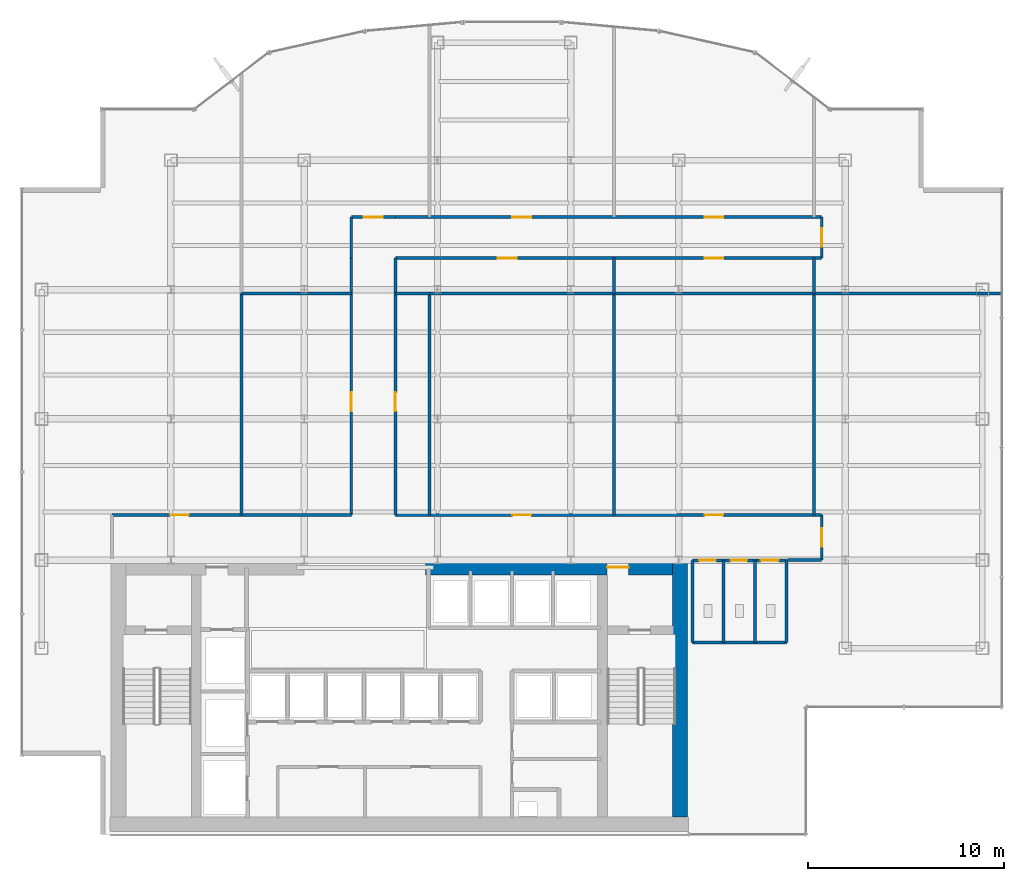
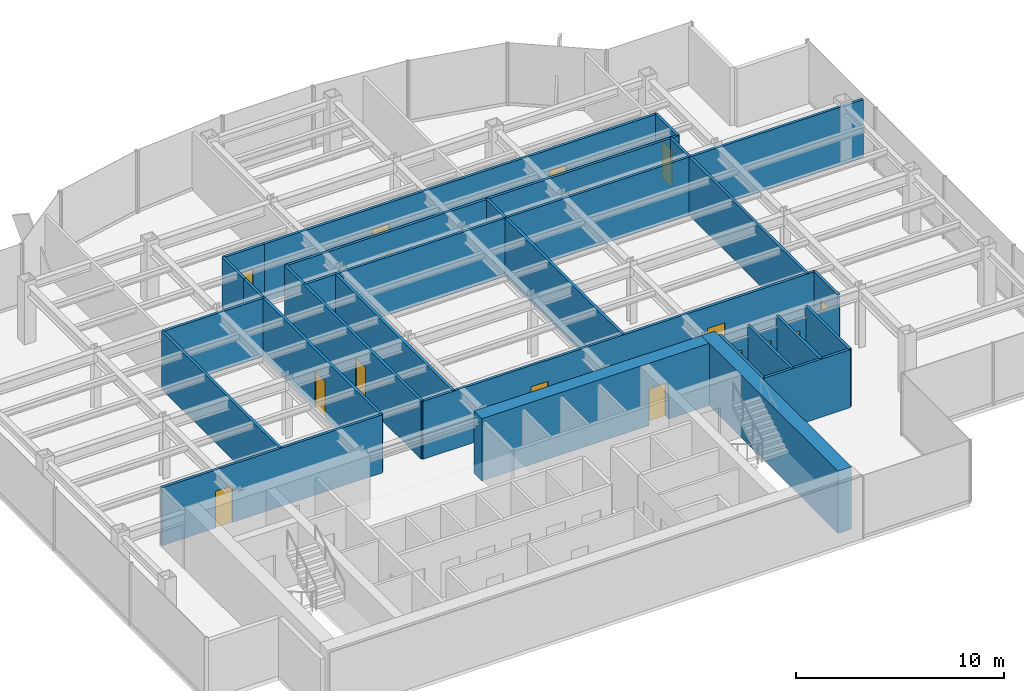
# One storey, part 21 of 25: 30 walls, 16 doors, 16 openings.
"""IFC4 building model written with IfcOpenShell, lengths in metres."""

from ifc_helpers import new_model, si_unit, derived_unit, direction, frame, frame_2d, origin, place, context, subcontext, project, spatial, rectangle, extrude, source, transform, mapped, material, layer, layer_set, type_object, element, fill, save


model = new_model("IFC4")

# Units and contexts
model_context = context("Model", 3, precision=1e-05, world=origin(), true_north=direction((0.0, 1.0)))
body_context = subcontext(model_context, "Body", "Model", "MODEL_VIEW")
ifc_project = project(units=[si_unit("LENGTHUNIT", "METRE"), si_unit("AREAUNIT", "SQUARE_METRE"), si_unit("VOLUMEUNIT", "CUBIC_METRE"), si_unit("PLANEANGLEUNIT", "RADIAN"), si_unit("MASSUNIT", "GRAM", prefix="KILO"), derived_unit("THERMALTRANSMITTANCEUNIT", [(si_unit("POWERUNIT", "WATT"), 1), (si_unit("LENGTHUNIT", "METRE"), -2), (si_unit("THERMODYNAMICTEMPERATUREUNIT", "KELVIN"), -1)])], contexts=[model_context])

# Site, building, storey
site_placement = place(None, origin())
site = spatial("IfcSite", under=ifc_project, at=site_placement, CompositionType="ELEMENT")
building_placement = place(site_placement, origin())
building = spatial("IfcBuilding", under=site, at=building_placement, Name="Skarnbrae Concourse Arena and Tower", CompositionType="ELEMENT")
storey_placement = place(building_placement, frame((0.0, 0.0, 158.85009765625)))
storey = spatial("IfcBuildingStorey", under=building, at=storey_placement, Name="L40", CompositionType="ELEMENT", Elevation=158.85009765625)

# Wall
ifc_material_1 = material(Name="Concrete 60 MPa (C60/75)", Category="concrete")
ifc_layer_1 = layer(ifc_material_1, 0.75)
ifc_layer_set_1 = layer_set([ifc_layer_1], Name="Concrete 60 MPa (C60/75)")
wall_type_1 = type_object("IfcWallType", Name="WALL-CORE-750-C60", PredefinedType="SHEAR", material=ifc_layer_set_1)
shared_shape_1 = source(origin(), body_context, "Body", "SweptSolid", [
    extrude(rectangle(XDim=13.10009765625, YDim=0.75, at=frame_2d((6.550048828125, 0.0))), origin(), (0.0, 0.0, 1.0), 3.64990234375),
])
wall_1_placement = place(storey_placement, frame((33.574951171875, 0.89990234375, 0.0), z_axis=(0.0, 0.0, 1.0), x_axis=(0.0, 1.0, 0.0)))
element("IfcWall", 1, at=wall_1_placement, inside=storey, type_object=wall_type_1, Name="L40 Rear core shear wall CW-E", PredefinedType="SHEAR", context=body_context, shape_type="MappedRepresentation", body=[
    mapped(shared_shape_1, transform((0.0, 0.0, 0.0))),
])

# Wall, opening, door
shared_shape_2 = source(origin(), body_context, "Body", "SweptSolid", [
    extrude(rectangle(XDim=12.599853515625, YDim=0.75, at=frame_2d((6.2998046875, 0.0))), origin(), (0.0, 0.0, 1.0), 3.64990234375),
])
wall_2_placement = place(storey_placement, frame((20.60009765625, 13.625, 0.0), z_axis=(0.0, 0.0, 1.0), x_axis=(1.0, 0.0, 0.0)))
wall_2 = element("IfcWall", 2, at=wall_2_placement, inside=storey, type_object=wall_type_1, Name="L40 Rear core shear wall CW-NE", PredefinedType="SHEAR", context=body_context, shape_type="MappedRepresentation", body=[
    mapped(shared_shape_2, transform((0.0, 0.0, 0.0))),
])
opening_1_placement = place(wall_2_placement, frame((9.25, 0.0, 0.0)))
opening_1 = element("IfcOpeningElement", 3, at=opening_1_placement, cuts=wall_2, Name="Opening DT-03", PredefinedType="OPENING", context=body_context, shape_type="SweptSolid", body=[
    extrude(rectangle(XDim=1.10009765625, YDim=2.14990234375, at=frame_2d((0.550048828125, 1.074951171875))), frame((0.0, 0.385009765625, 0.0), z_axis=(0.0, -1.0, 0.0), x_axis=(1.0, 0.0, 0.0)), (0.0, 0.0, 1.0), 0.77001953125),
])
ifc_material_2 = material(Name="Steel CSA G40.21 350W", Category="steel")
door_type_1 = type_object("IfcDoorType", Name="DOOR-FIRE-1100-90M", OperationType="NOTDEFINED", PredefinedType="DOOR", material=ifc_material_2)
shared_shape_3 = source(origin(), body_context, "Body", "SweptSolid", [
    extrude(rectangle(XDim=1.10009765625, YDim=2.14990234375, at=frame_2d((0.550048828125, 1.074951171875))), frame((0.0, 0.02490234375, 0.0), z_axis=(0.0, -1.0, 0.0), x_axis=(1.0, 0.0, 0.0)), (0.0, 0.0, 1.0), 0.050048828125),
])
door_1_placement = place(opening_1_placement, origin())
door_1 = element("IfcDoor", 4, at=door_1_placement, inside=storey, type_object=door_type_1, Name="D-1238 Stair ST-2 Vestibule Door", OperationType="SINGLE_SWING_LEFT", OverallHeight=2.14990234375, OverallWidth=1.10009765625, PredefinedType="DOOR", context=body_context, shape_type="MappedRepresentation", body=[
    mapped(shared_shape_3, transform((0.0, 0.0, 0.0))),
])
fill(opening_1, door_1)

# Walls
ifc_material_3 = material(Name="Gypsum board on cold-formed steel studs", Category="steel")
ifc_layer_2 = layer(ifc_material_3, 0.14990234375)
ifc_layer_set_2 = layer_set([ifc_layer_2], Name="Gypsum board on cold-formed steel studs")
wall_type_2 = type_object("IfcWallType", Name="WALL-PART-150", PredefinedType="PARTITIONING", material=ifc_layer_set_2)
shared_shape_4 = source(origin(), body_context, "Body", "SweptSolid", [
    extrude(rectangle(XDim=4.800048828125, YDim=0.14990234375, at=frame_2d((2.39990234375, 0.0))), origin(), (0.0, 0.0, 1.0), 3.39990234375),
])
wall_3_placement = place(storey_placement, frame((34.199951171875, 9.800048828125, 0.0), z_axis=(0.0, 0.0, 1.0), x_axis=(1.0, 0.0, 0.0)))
element("IfcWall", 5, at=wall_3_placement, inside=storey, type_object=wall_type_2, Name="L40 Interior partition wall W-L40-WC-S", PredefinedType="PARTITIONING", context=body_context, shape_type="MappedRepresentation", body=[
    mapped(shared_shape_4, transform((0.0, 0.0, 0.0))),
])
shared_shape_5 = source(origin(), body_context, "Body", "SweptSolid", [
    extrude(rectangle(XDim=4.179931640625, YDim=0.14990234375, at=frame_2d((2.08984375, 0.0))), origin(), (0.0, 0.0, 1.0), 3.39990234375),
])
for number, where, z_axis, x_axis, name in (
    (6, (39.0, 9.800048828125, 0.0), (0.0, 0.0, 1.0), (0.0, 1.0, 0.0), "L40 Interior partition wall W-L40-WC-E"),
    (7, (34.199951171875, 9.800048828125, 0.0), (0.0, 0.0, 1.0), (0.0, 1.0, 0.0), "L40 Interior partition wall W-L40-WC-W"),
    (8, (35.800048828125, 9.800048828125, 0.0), (0.0, 0.0, 1.0), (0.0, 1.0, 0.0), "L40 Interior partition wall W-L40-WC-D1"),
    (9, (37.39990234375, 9.800048828125, 0.0), (0.0, 0.0, 1.0), (0.0, 1.0, 0.0), "L40 Interior partition wall W-L40-WC-D2"),
):
    element("IfcWall", number, at=place(storey_placement, frame(where, z_axis=z_axis, x_axis=x_axis)), inside=storey, type_object=wall_type_2, Name=name, PredefinedType="PARTITIONING", context=body_context, shape_type="MappedRepresentation", body=[
        mapped(shared_shape_5, transform((0.0, 0.0, 0.0))),
    ])

# Wall, opening, door
ifc_layer_3 = layer(ifc_material_3, 0.14990234375)
ifc_layer_set_3 = layer_set([ifc_layer_3], Name="Gypsum board on cold-formed steel studs")
wall_type_3 = type_object("IfcWallType", Name="WALL-PART-150-1HR", PredefinedType="PARTITIONING", material=ifc_layer_set_3)
shared_shape_6 = source(origin(), body_context, "Body", "SweptSolid", [
    extrude(rectangle(XDim=2.25, YDim=0.14990234375, at=frame_2d((1.125, 0.0))), origin(), (0.0, 0.0, 1.0), 3.39990234375),
])
wall_4_placement = place(storey_placement, frame((16.800048828125, 31.5, 0.0), z_axis=(0.0, 0.0, 1.0), x_axis=(1.0, 0.0, 0.0)))
wall_4 = element("IfcWall", 10, at=wall_4_placement, inside=storey, type_object=wall_type_3, Name="L40 Interior partition wall W-L40-COR-05", PredefinedType="PARTITIONING", context=body_context, shape_type="MappedRepresentation", body=[
    mapped(shared_shape_6, transform((0.0, 0.0, 0.0))),
])
opening_2_placement = place(wall_4_placement, frame((0.64990234375, 0.0, 0.0)))
opening_2 = element("IfcOpeningElement", 11, at=opening_2_placement, cuts=wall_4, Name="Opening DT-04", PredefinedType="OPENING", context=body_context, shape_type="SweptSolid", body=[
    extrude(rectangle(XDim=0.949951171875, YDim=2.14990234375, at=frame_2d((0.47509765625, 1.074951171875))), frame((0.0, 0.0849609375, 0.0), z_axis=(0.0, -1.0, 0.0), x_axis=(1.0, 0.0, 0.0)), (0.0, 0.0, 1.0), 0.169921875),
])
door_type_2 = type_object("IfcDoorType", Name="DOOR-INT-950-45M", OperationType="NOTDEFINED", PredefinedType="DOOR", material=ifc_material_2)
shared_shape_7 = source(origin(), body_context, "Body", "SweptSolid", [
    extrude(rectangle(XDim=0.949951171875, YDim=2.14990234375, at=frame_2d((0.47509765625, 1.074951171875))), frame((0.0, 0.02490234375, 0.0), z_axis=(0.0, -1.0, 0.0), x_axis=(1.0, 0.0, 0.0)), (0.0, 0.0, 1.0), 0.050048828125),
])
door_2_placement = place(opening_2_placement, origin())
door_2 = element("IfcDoor", 12, at=door_2_placement, inside=storey, type_object=door_type_2, Name="D-1257 L40 Suite Door 03", OperationType="SINGLE_SWING_RIGHT", OverallHeight=2.14990234375, OverallWidth=0.949951171875, PredefinedType="DOOR", context=body_context, shape_type="MappedRepresentation", body=[
    mapped(shared_shape_7, transform((0.0, 0.0, 0.0))),
])
fill(opening_2, door_2)

# Wall
shared_shape_8 = source(origin(), body_context, "Body", "SweptSolid", [
    extrude(rectangle(XDim=9.580078125, YDim=0.14990234375, at=frame_2d((4.7900390625, 0.0))), origin(), (0.0, 0.0, 1.0), 3.39990234375),
])
wall_5_placement = place(storey_placement, frame((40.39990234375, 27.60009765625, 0.0), z_axis=(0.0, 0.0, 1.0), x_axis=(1.0, 0.0, 0.0)))
element("IfcWall", 13, at=wall_5_placement, inside=storey, type_object=wall_type_2, Name="L40 Interior partition wall W-L40-DEM-25", PredefinedType="PARTITIONING", context=body_context, shape_type="MappedRepresentation", body=[
    mapped(shared_shape_8, transform((0.0, 0.0, 0.0))),
])

# Wall, opening, door
shared_shape_9 = source(origin(), body_context, "Body", "SweptSolid", [
    extrude(rectangle(XDim=12.199951171875, YDim=0.14990234375, at=frame_2d((6.10009765625, 0.0))), origin(), (0.0, 0.0, 1.0), 3.39990234375),
])
wall_6_placement = place(storey_placement, frame((4.60009765625, 16.300048828125, 0.0), z_axis=(0.0, 0.0, 1.0), x_axis=(1.0, 0.0, 0.0)))
wall_6 = element("IfcWall", 14, at=wall_6_placement, inside=storey, type_object=wall_type_3, Name="L40 Interior partition wall W-L40-COR-02", PredefinedType="PARTITIONING", context=body_context, shape_type="MappedRepresentation", body=[
    mapped(shared_shape_9, transform((0.0, 0.0, 0.0))),
])
opening_3_placement = place(wall_6_placement, frame((2.955078125, 0.0, 0.0)))
opening_3 = element("IfcOpeningElement", 15, at=opening_3_placement, cuts=wall_6, Name="Opening DT-04", PredefinedType="OPENING", context=body_context, shape_type="SweptSolid", body=[
    extrude(rectangle(XDim=0.949951171875, YDim=2.14990234375, at=frame_2d((0.47509765625, 1.074951171875))), frame((0.0, 0.0849609375, 0.0), z_axis=(0.0, -1.0, 0.0), x_axis=(1.0, 0.0, 0.0)), (0.0, 0.0, 1.0), 0.169921875),
])
door_3_placement = place(opening_3_placement, origin())
door_3 = element("IfcDoor", 16, at=door_3_placement, inside=storey, type_object=door_type_2, Name="D-1255 L40 Suite Door 01", OperationType="SINGLE_SWING_RIGHT", OverallHeight=2.14990234375, OverallWidth=0.949951171875, PredefinedType="DOOR", context=body_context, shape_type="MappedRepresentation", body=[
    mapped(shared_shape_7, transform((0.0, 0.0, 0.0))),
])
fill(opening_3, door_3)

shared_shape_10 = source(origin(), body_context, "Body", "SweptSolid", [
    extrude(rectangle(XDim=13.099853515625, YDim=0.14990234375, at=frame_2d((6.5498046875, 0.0))), origin(), (0.0, 0.0, 1.0), 3.39990234375),
])
wall_7_placement = place(storey_placement, frame((16.800048828125, 16.300048828125, 0.0), z_axis=(0.0, 0.0, 1.0), x_axis=(0.0, 1.0, 0.0)))
wall_7 = element("IfcWall", 17, at=wall_7_placement, inside=storey, type_object=wall_type_3, Name="L40 Interior partition wall W-L40-COR-03", PredefinedType="PARTITIONING", context=body_context, shape_type="MappedRepresentation", body=[
    mapped(shared_shape_10, transform((0.0, 0.0, 0.0))),
])
opening_4_placement = place(wall_7_placement, frame((5.304931640625, 0.0, 0.0)))
opening_4 = element("IfcOpeningElement", 18, at=opening_4_placement, cuts=wall_7, Name="Opening DT-04", PredefinedType="OPENING", context=body_context, shape_type="SweptSolid", body=[
    extrude(rectangle(XDim=0.949951171875, YDim=2.14990234375, at=frame_2d((0.47509765625, 1.074951171875))), frame((0.0, 0.0849609375, 0.0), z_axis=(0.0, -1.0, 0.0), x_axis=(1.0, 0.0, 0.0)), (0.0, 0.0, 1.0), 0.169921875),
])
door_4_placement = place(opening_4_placement, origin())
door_4 = element("IfcDoor", 19, at=door_4_placement, inside=storey, type_object=door_type_2, Name="D-1256 L40 Suite Door 02", OperationType="SINGLE_SWING_LEFT", OverallHeight=2.14990234375, OverallWidth=0.949951171875, PredefinedType="DOOR", context=body_context, shape_type="MappedRepresentation", body=[
    mapped(shared_shape_7, transform((0.0, 0.0, 0.0))),
])
fill(opening_4, door_4)

wall_8_placement = place(storey_placement, frame((19.050048828125, 29.39990234375, 0.0), z_axis=(0.0, 0.0, 1.0), x_axis=(0.0, -1.0, 0.0)))
wall_8 = element("IfcWall", 20, at=wall_8_placement, inside=storey, type_object=wall_type_3, Name="L40 Interior partition wall W-L40-COR-09", PredefinedType="PARTITIONING", context=body_context, shape_type="MappedRepresentation", body=[
    mapped(shared_shape_10, transform((0.0, 0.0, 0.0))),
])
opening_5_placement = place(wall_8_placement, frame((6.844970703125, 0.0, 0.0)))
opening_5 = element("IfcOpeningElement", 21, at=opening_5_placement, cuts=wall_8, Name="Opening DT-04", PredefinedType="OPENING", context=body_context, shape_type="SweptSolid", body=[
    extrude(rectangle(XDim=0.949951171875, YDim=2.14990234375, at=frame_2d((0.47509765625, 1.074951171875))), frame((0.0, 0.0849609375, 0.0), z_axis=(0.0, -1.0, 0.0), x_axis=(1.0, 0.0, 0.0)), (0.0, 0.0, 1.0), 0.169921875),
])
door_5_placement = place(opening_5_placement, origin())
door_5 = element("IfcDoor", 22, at=door_5_placement, inside=storey, type_object=door_type_2, Name="D-1258 L40 Suite Door 04", OperationType="SINGLE_SWING_LEFT", OverallHeight=2.14990234375, OverallWidth=0.949951171875, PredefinedType="DOOR", context=body_context, shape_type="MappedRepresentation", body=[
    mapped(shared_shape_7, transform((0.0, 0.0, 0.0))),
])
fill(opening_5, door_5)

# Wall
shared_shape_11 = source(origin(), body_context, "Body", "SweptSolid", [
    extrude(rectangle(XDim=2.10009765625, YDim=0.14990234375, at=frame_2d((1.050048828125, 0.0))), origin(), (0.0, 0.0, 1.0), 3.39990234375),
])
wall_9_placement = place(storey_placement, frame((16.800048828125, 29.39990234375, 0.0), z_axis=(0.0, 0.0, 1.0), x_axis=(0.0, 1.0, 0.0)))
element("IfcWall", 23, at=wall_9_placement, inside=storey, type_object=wall_type_3, Name="L40 Interior partition wall W-L40-COR-04", PredefinedType="PARTITIONING", context=body_context, shape_type="MappedRepresentation", body=[
    mapped(shared_shape_11, transform((0.0, 0.0, 0.0))),
])

# Wall, opening, door
wall_10_placement = place(storey_placement, frame((40.800048828125, 31.5, 0.0), z_axis=(0.0, 0.0, 1.0), x_axis=(0.0, -1.0, 0.0)))
wall_10 = element("IfcWall", 24, at=wall_10_placement, inside=storey, type_object=wall_type_3, Name="L40 Interior partition wall W-L40-COR-07", PredefinedType="PARTITIONING", context=body_context, shape_type="MappedRepresentation", body=[
    mapped(shared_shape_11, transform((0.0, 0.0, 0.0))),
])
opening_6_placement = place(wall_10_placement, frame((0.574951171875, 0.0, 0.0)))
opening_6 = element("IfcOpeningElement", 25, at=opening_6_placement, cuts=wall_10, Name="Opening DT-04", PredefinedType="OPENING", context=body_context, shape_type="SweptSolid", body=[
    extrude(rectangle(XDim=0.949951171875, YDim=2.14990234375, at=frame_2d((0.47509765625, 1.074951171875))), frame((0.0, 0.0849609375, 0.0), z_axis=(0.0, -1.0, 0.0), x_axis=(1.0, 0.0, 0.0)), (0.0, 0.0, 1.0), 0.169921875),
])
door_6_placement = place(opening_6_placement, origin())
door_6 = element("IfcDoor", 26, at=door_6_placement, inside=storey, type_object=door_type_2, Name="D-1266 L40 Suite Door 12", OperationType="SINGLE_SWING_LEFT", OverallHeight=2.14990234375, OverallWidth=0.949951171875, PredefinedType="DOOR", context=body_context, shape_type="MappedRepresentation", body=[
    mapped(shared_shape_7, transform((0.0, 0.0, 0.0))),
])
fill(opening_6, door_6)

# Wall, openings, doors
shared_shape_12 = source(origin(), body_context, "Body", "SweptSolid", [
    extrude(rectangle(XDim=21.75, YDim=0.14990234375, at=frame_2d((10.875, 0.0))), origin(), (0.0, 0.0, 1.0), 3.39990234375),
])
wall_11_placement = place(storey_placement, frame((19.050048828125, 31.5, 0.0), z_axis=(0.0, 0.0, 1.0), x_axis=(1.0, 0.0, 0.0)))
wall_11 = element("IfcWall", 27, at=wall_11_placement, inside=storey, type_object=wall_type_3, Name="L40 Interior partition wall W-L40-COR-06", PredefinedType="PARTITIONING", context=body_context, shape_type="MappedRepresentation", body=[
    mapped(shared_shape_12, transform((0.0, 0.0, 0.0))),
])
opening_7_placement = place(wall_11_placement, frame((5.97509765625, 0.0, 0.0)))
opening_7 = element("IfcOpeningElement", 28, at=opening_7_placement, cuts=wall_11, Name="Opening DT-04", PredefinedType="OPENING", context=body_context, shape_type="SweptSolid", body=[
    extrude(rectangle(XDim=0.949951171875, YDim=2.14990234375, at=frame_2d((0.47509765625, 1.074951171875))), frame((0.0, 0.0849609375, 0.0), z_axis=(0.0, -1.0, 0.0), x_axis=(1.0, 0.0, 0.0)), (0.0, 0.0, 1.0), 0.169921875),
])
opening_8_placement = place(wall_11_placement, frame((15.77490234375, 0.0, 0.0)))
opening_8 = element("IfcOpeningElement", 29, at=opening_8_placement, cuts=wall_11, Name="Opening DT-04", PredefinedType="OPENING", context=body_context, shape_type="SweptSolid", body=[
    extrude(rectangle(XDim=0.949951171875, YDim=2.14990234375, at=frame_2d((0.47509765625, 1.074951171875))), frame((0.0, 0.0849609375, 0.0), z_axis=(0.0, -1.0, 0.0), x_axis=(1.0, 0.0, 0.0)), (0.0, 0.0, 1.0), 0.169921875),
])
door_7_placement = place(opening_7_placement, origin())
door_7 = element("IfcDoor", 30, at=door_7_placement, inside=storey, type_object=door_type_2, Name="D-1261 L40 Suite Door 07", OperationType="SINGLE_SWING_RIGHT", OverallHeight=2.14990234375, OverallWidth=0.949951171875, PredefinedType="DOOR", context=body_context, shape_type="MappedRepresentation", body=[
    mapped(shared_shape_7, transform((0.0, 0.0, 0.0))),
])
fill(opening_7, door_7)
door_8_placement = place(opening_8_placement, origin())
door_8 = element("IfcDoor", 31, at=door_8_placement, inside=storey, type_object=door_type_2, Name="D-1262 L40 Suite Door 08", OperationType="SINGLE_SWING_LEFT", OverallHeight=2.14990234375, OverallWidth=0.949951171875, PredefinedType="DOOR", context=body_context, shape_type="MappedRepresentation", body=[
    mapped(shared_shape_7, transform((0.0, 0.0, 0.0))),
])
fill(opening_8, door_8)

wall_12_placement = place(storey_placement, frame((40.800048828125, 29.39990234375, 0.0), z_axis=(0.0, 0.0, 1.0), x_axis=(-1.0, 0.0, 0.0)))
wall_12 = element("IfcWall", 32, at=wall_12_placement, inside=storey, type_object=wall_type_3, Name="L40 Interior partition wall W-L40-COR-08", PredefinedType="PARTITIONING", context=body_context, shape_type="MappedRepresentation", body=[
    mapped(shared_shape_12, transform((0.0, 0.0, 0.0))),
])
opening_9_placement = place(wall_12_placement, frame((15.570068359375, 0.0, 0.0)))
opening_9 = element("IfcOpeningElement", 33, at=opening_9_placement, cuts=wall_12, Name="Opening DT-04", PredefinedType="OPENING", context=body_context, shape_type="SweptSolid", body=[
    extrude(rectangle(XDim=0.949951171875, YDim=2.14990234375, at=frame_2d((0.47509765625, 1.074951171875))), frame((0.0, 0.0849609375, 0.0), z_axis=(0.0, -1.0, 0.0), x_axis=(1.0, 0.0, 0.0)), (0.0, 0.0, 1.0), 0.169921875),
])
opening_10_placement = place(wall_12_placement, frame((5.02490234375, 0.0, 0.0)))
opening_10 = element("IfcOpeningElement", 34, at=opening_10_placement, cuts=wall_12, Name="Opening DT-04", PredefinedType="OPENING", context=body_context, shape_type="SweptSolid", body=[
    extrude(rectangle(XDim=0.949951171875, YDim=2.14990234375, at=frame_2d((0.47509765625, 1.074951171875))), frame((0.0, 0.0849609375, 0.0), z_axis=(0.0, -1.0, 0.0), x_axis=(1.0, 0.0, 0.0)), (0.0, 0.0, 1.0), 0.169921875),
])
door_9_placement = place(opening_9_placement, origin())
door_9 = element("IfcDoor", 35, at=door_9_placement, inside=storey, type_object=door_type_2, Name="D-1259 L40 Suite Door 05", OperationType="SINGLE_SWING_RIGHT", OverallHeight=2.14990234375, OverallWidth=0.949951171875, PredefinedType="DOOR", context=body_context, shape_type="MappedRepresentation", body=[
    mapped(shared_shape_7, transform((0.0, 0.0, 0.0))),
])
fill(opening_9, door_9)
door_10_placement = place(opening_10_placement, origin())
door_10 = element("IfcDoor", 36, at=door_10_placement, inside=storey, type_object=door_type_2, Name="D-1264 L40 Suite Door 10", OperationType="SINGLE_SWING_LEFT", OverallHeight=2.14990234375, OverallWidth=0.949951171875, PredefinedType="DOOR", context=body_context, shape_type="MappedRepresentation", body=[
    mapped(shared_shape_7, transform((0.0, 0.0, 0.0))),
])
fill(opening_10, door_10)

wall_13_placement = place(storey_placement, frame((19.050048828125, 16.300048828125, 0.0), z_axis=(0.0, 0.0, 1.0), x_axis=(1.0, 0.0, 0.0)))
wall_13 = element("IfcWall", 37, at=wall_13_placement, inside=storey, type_object=wall_type_3, Name="L40 Interior partition wall W-L40-COR-10", PredefinedType="PARTITIONING", context=body_context, shape_type="MappedRepresentation", body=[
    mapped(shared_shape_12, transform((0.0, 0.0, 0.0))),
])
opening_11_placement = place(wall_13_placement, frame((5.97509765625, 0.0, 0.0)))
opening_11 = element("IfcOpeningElement", 38, at=opening_11_placement, cuts=wall_13, Name="Opening DT-04", PredefinedType="OPENING", context=body_context, shape_type="SweptSolid", body=[
    extrude(rectangle(XDim=0.949951171875, YDim=2.14990234375, at=frame_2d((0.47509765625, 1.074951171875))), frame((0.0, 0.0849609375, 0.0), z_axis=(0.0, -1.0, 0.0), x_axis=(1.0, 0.0, 0.0)), (0.0, 0.0, 1.0), 0.169921875),
])
opening_12_placement = place(wall_13_placement, frame((15.77490234375, 0.0, 0.0)))
opening_12 = element("IfcOpeningElement", 39, at=opening_12_placement, cuts=wall_13, Name="Opening DT-04", PredefinedType="OPENING", context=body_context, shape_type="SweptSolid", body=[
    extrude(rectangle(XDim=0.949951171875, YDim=2.14990234375, at=frame_2d((0.47509765625, 1.074951171875))), frame((0.0, 0.0849609375, 0.0), z_axis=(0.0, -1.0, 0.0), x_axis=(1.0, 0.0, 0.0)), (0.0, 0.0, 1.0), 0.169921875),
])
door_11_placement = place(opening_11_placement, origin())
door_11 = element("IfcDoor", 40, at=door_11_placement, inside=storey, type_object=door_type_2, Name="D-1260 L40 Suite Door 06", OperationType="SINGLE_SWING_LEFT", OverallHeight=2.14990234375, OverallWidth=0.949951171875, PredefinedType="DOOR", context=body_context, shape_type="MappedRepresentation", body=[
    mapped(shared_shape_7, transform((0.0, 0.0, 0.0))),
])
fill(opening_11, door_11)
door_12_placement = place(opening_12_placement, origin())
door_12 = element("IfcDoor", 41, at=door_12_placement, inside=storey, type_object=door_type_2, Name="D-1263 L40 Suite Door 09", OperationType="SINGLE_SWING_RIGHT", OverallHeight=2.14990234375, OverallWidth=0.949951171875, PredefinedType="DOOR", context=body_context, shape_type="MappedRepresentation", body=[
    mapped(shared_shape_7, transform((0.0, 0.0, 0.0))),
])
fill(opening_12, door_12)

# Wall, opening, door
shared_shape_13 = source(origin(), body_context, "Body", "SweptSolid", [
    extrude(rectangle(XDim=2.300048828125, YDim=0.14990234375, at=frame_2d((1.14990234375, 0.0))), origin(), (0.0, 0.0, 1.0), 3.39990234375),
])
wall_14_placement = place(storey_placement, frame((40.800048828125, 16.300048828125, 0.0), z_axis=(0.0, 0.0, 1.0), x_axis=(0.0, -1.0, 0.0)))
wall_14 = element("IfcWall", 42, at=wall_14_placement, inside=storey, type_object=wall_type_3, Name="L40 Interior partition wall W-L40-COR-11", PredefinedType="PARTITIONING", context=body_context, shape_type="MappedRepresentation", body=[
    mapped(shared_shape_13, transform((0.0, 0.0, 0.0))),
])
opening_13_placement = place(wall_14_placement, frame((0.675048828125, 0.0, 0.0)))
opening_13 = element("IfcOpeningElement", 43, at=opening_13_placement, cuts=wall_14, Name="Opening DT-04", PredefinedType="OPENING", context=body_context, shape_type="SweptSolid", body=[
    extrude(rectangle(XDim=0.949951171875, YDim=2.14990234375, at=frame_2d((0.47509765625, 1.074951171875))), frame((0.0, 0.0849609375, 0.0), z_axis=(0.0, -1.0, 0.0), x_axis=(1.0, 0.0, 0.0)), (0.0, 0.0, 1.0), 0.169921875),
])
door_13_placement = place(opening_13_placement, origin())
door_13 = element("IfcDoor", 44, at=door_13_placement, inside=storey, type_object=door_type_2, Name="D-1265 L40 Suite Door 11", OperationType="SINGLE_SWING_RIGHT", OverallHeight=2.14990234375, OverallWidth=0.949951171875, PredefinedType="DOOR", context=body_context, shape_type="MappedRepresentation", body=[
    mapped(shared_shape_7, transform((0.0, 0.0, 0.0))),
])
fill(opening_13, door_13)

# Wall, openings, doors
shared_shape_14 = source(origin(), body_context, "Body", "SweptSolid", [
    extrude(rectangle(XDim=4.800048828125, YDim=0.14990234375, at=frame_2d((2.39990234375, 0.0))), origin(), (0.0, 0.0, 1.0), 2.760009765625),
])
wall_15_placement = place(storey_placement, frame((34.199951171875, 13.97998046875, 0.0), z_axis=(0.0, 0.0, 1.0), x_axis=(1.0, 0.0, 0.0)))
wall_15 = element("IfcWall", 45, at=wall_15_placement, inside=storey, type_object=wall_type_2, Name="L40 Interior partition wall W-L40-WC-N", PredefinedType="PARTITIONING", context=body_context, shape_type="MappedRepresentation", body=[
    mapped(shared_shape_14, transform((0.0, 0.0, 0.0))),
])
opening_14_placement = place(wall_15_placement, frame((0.35009765625, 0.0, 0.0)))
opening_14 = element("IfcOpeningElement", 46, at=opening_14_placement, cuts=wall_15, Name="Opening DT-06", PredefinedType="OPENING", context=body_context, shape_type="SweptSolid", body=[
    extrude(rectangle(XDim=0.85009765625, YDim=2.10009765625, at=frame_2d((0.425048828125, 1.050048828125))), frame((0.0, 0.0849609375, 0.0), z_axis=(0.0, -1.0, 0.0), x_axis=(1.0, 0.0, 0.0)), (0.0, 0.0, 1.0), 0.169921875),
])
opening_15_placement = place(wall_15_placement, frame((1.949951171875, 0.0, 0.0)))
opening_15 = element("IfcOpeningElement", 47, at=opening_15_placement, cuts=wall_15, Name="Opening DT-06", PredefinedType="OPENING", context=body_context, shape_type="SweptSolid", body=[
    extrude(rectangle(XDim=0.85009765625, YDim=2.10009765625, at=frame_2d((0.425048828125, 1.050048828125))), frame((0.0, 0.0849609375, 0.0), z_axis=(0.0, -1.0, 0.0), x_axis=(1.0, 0.0, 0.0)), (0.0, 0.0, 1.0), 0.169921875),
])
opening_16_placement = place(wall_15_placement, frame((3.5, 0.0, 0.0)))
opening_16 = element("IfcOpeningElement", 48, at=opening_16_placement, cuts=wall_15, Name="Opening DT-05", PredefinedType="OPENING", context=body_context, shape_type="SweptSolid", body=[
    extrude(rectangle(XDim=0.89990234375, YDim=2.10009765625, at=frame_2d((0.449951171875, 1.050048828125))), frame((0.0, 0.0849609375, 0.0), z_axis=(0.0, -1.0, 0.0), x_axis=(1.0, 0.0, 0.0)), (0.0, 0.0, 1.0), 0.169921875),
])
ifc_material_4 = material(Name="Architectural oak veneer timber leaf", Category="wood")
door_type_3 = type_object("IfcDoorType", Name="DOOR-INT-850", OperationType="NOTDEFINED", PredefinedType="DOOR", material=ifc_material_4)
shared_shape_15 = source(origin(), body_context, "Body", "SweptSolid", [
    extrude(rectangle(XDim=0.85009765625, YDim=2.10009765625, at=frame_2d((0.425048828125, 1.050048828125))), frame((0.0, 0.02490234375, 0.0), z_axis=(0.0, -1.0, 0.0), x_axis=(1.0, 0.0, 0.0)), (0.0, 0.0, 1.0), 0.050048828125),
])
door_14_placement = place(opening_14_placement, frame((0.85009765625, 0.0, 0.0), z_axis=(0.0, 0.0, 1.0), x_axis=(-1.0, 0.0, 0.0)))
door_14 = element("IfcDoor", 49, at=door_14_placement, inside=storey, type_object=door_type_3, Name="D-1252 Male Washroom Door", OperationType="SINGLE_SWING_LEFT", OverallHeight=2.10009765625, OverallWidth=0.85009765625, PredefinedType="DOOR", context=body_context, shape_type="MappedRepresentation", body=[
    mapped(shared_shape_15, transform((0.0, 0.0, 0.0))),
])
fill(opening_14, door_14)
door_15_placement = place(opening_15_placement, frame((0.85009765625, 0.0, 0.0), z_axis=(0.0, 0.0, 1.0), x_axis=(-1.0, 0.0, 0.0)))
door_15 = element("IfcDoor", 50, at=door_15_placement, inside=storey, type_object=door_type_3, Name="D-1253 Female Washroom Door", OperationType="SINGLE_SWING_RIGHT", OverallHeight=2.10009765625, OverallWidth=0.85009765625, PredefinedType="DOOR", context=body_context, shape_type="MappedRepresentation", body=[
    mapped(shared_shape_15, transform((0.0, 0.0, 0.0))),
])
fill(opening_15, door_15)
door_type_4 = type_object("IfcDoorType", Name="DOOR-INT-900", OperationType="NOTDEFINED", PredefinedType="DOOR", material=ifc_material_4)
shared_shape_16 = source(origin(), body_context, "Body", "SweptSolid", [
    extrude(rectangle(XDim=0.89990234375, YDim=2.10009765625, at=frame_2d((0.449951171875, 1.050048828125))), frame((0.0, 0.02490234375, 0.0), z_axis=(0.0, -1.0, 0.0), x_axis=(1.0, 0.0, 0.0)), (0.0, 0.0, 1.0), 0.050048828125),
])
door_16_placement = place(opening_16_placement, frame((0.89990234375, 0.0, 0.0), z_axis=(0.0, 0.0, 1.0), x_axis=(-1.0, 0.0, 0.0)))
door_16 = element("IfcDoor", 51, at=door_16_placement, inside=storey, type_object=door_type_4, Name="D-1254 Accessible WC Door", OperationType="SINGLE_SWING_LEFT", OverallHeight=2.10009765625, OverallWidth=0.89990234375, PredefinedType="DOOR", context=body_context, shape_type="MappedRepresentation", body=[
    mapped(shared_shape_16, transform((0.0, 0.0, 0.0))),
])
fill(opening_16, door_16)

# Walls
shared_shape_17 = source(origin(), body_context, "Body", "SweptSolid", [
    extrude(rectangle(XDim=1.75, YDim=0.14990234375, at=frame_2d((0.875, 0.0))), origin(), (0.0, 0.0, 1.0), 2.760009765625),
])
wall_16_placement = place(storey_placement, frame((40.800048828125, 14.0, 0.0), z_axis=(0.0, 0.0, 1.0), x_axis=(-1.0, 0.0, 0.0)))
element("IfcWall", 52, at=wall_16_placement, inside=storey, type_object=wall_type_3, Name="L40 Interior partition wall W-L40-COR-12", PredefinedType="PARTITIONING", context=body_context, shape_type="MappedRepresentation", body=[
    mapped(shared_shape_17, transform((0.0, 0.0, 0.0))),
])
shared_shape_18 = source(origin(), body_context, "Body", "SweptSolid", [
    extrude(rectangle(XDim=11.300048828125, YDim=0.14990234375, at=frame_2d((5.64990234375, 0.0))), origin(), (0.0, 0.0, 1.0), 3.39990234375),
])
for number, where, z_axis, x_axis, name in (
    (53, (11.199951171875, 27.60009765625, 0.0), (0.0, 0.0, 1.0), (0.0, -1.0, 0.0), "L40 Interior partition wall W-L40-DEM-13"),
    (54, (20.800048828125, 27.60009765625, 0.0), (0.0, 0.0, 1.0), (0.0, -1.0, 0.0), "L40 Interior partition wall W-L40-DEM-17"),
    (55, (30.199951171875, 27.60009765625, 0.0), (0.0, 0.0, 1.0), (0.0, -1.0, 0.0), "L40 Interior partition wall W-L40-DEM-20"),
    (56, (40.39990234375, 27.60009765625, 0.0), (0.0, 0.0, 1.0), (0.0, -1.0, 0.0), "L40 Interior partition wall W-L40-DEM-24"),
):
    element("IfcWall", number, at=place(storey_placement, frame(where, z_axis=z_axis, x_axis=x_axis)), inside=storey, type_object=wall_type_2, Name=name, PredefinedType="PARTITIONING", context=body_context, shape_type="MappedRepresentation", body=[
        mapped(shared_shape_18, transform((0.0, 0.0, 0.0))),
    ])
shared_shape_19 = source(origin(), body_context, "Body", "SweptSolid", [
    extrude(rectangle(XDim=5.60009765625, YDim=0.14990234375, at=frame_2d((2.800048828125, 0.0))), origin(), (0.0, 0.0, 1.0), 3.39990234375),
])
wall_17_placement = place(storey_placement, frame((11.199951171875, 27.60009765625, 0.0), z_axis=(0.0, 0.0, 1.0), x_axis=(1.0, 0.0, 0.0)))
element("IfcWall", 57, at=wall_17_placement, inside=storey, type_object=wall_type_2, Name="L40 Interior partition wall W-L40-DEM-14", PredefinedType="PARTITIONING", context=body_context, shape_type="MappedRepresentation", body=[
    mapped(shared_shape_19, transform((0.0, 0.0, 0.0))),
])
shared_shape_20 = source(origin(), body_context, "Body", "SweptSolid", [
    extrude(rectangle(XDim=1.75, YDim=0.14990234375, at=frame_2d((0.875, 0.0))), origin(), (0.0, 0.0, 1.0), 3.39990234375),
])
wall_18_placement = place(storey_placement, frame((19.050048828125, 27.60009765625, 0.0), z_axis=(0.0, 0.0, 1.0), x_axis=(1.0, 0.0, 0.0)))
element("IfcWall", 58, at=wall_18_placement, inside=storey, type_object=wall_type_2, Name="L40 Interior partition wall W-L40-DEM-16", PredefinedType="PARTITIONING", context=body_context, shape_type="MappedRepresentation", body=[
    mapped(shared_shape_20, transform((0.0, 0.0, 0.0))),
])
shared_shape_21 = source(origin(), body_context, "Body", "SweptSolid", [
    extrude(rectangle(XDim=9.39990234375, YDim=0.14990234375, at=frame_2d((4.699951171875, 0.0))), origin(), (0.0, 0.0, 1.0), 3.39990234375),
])
wall_19_placement = place(storey_placement, frame((30.199951171875, 27.60009765625, 0.0), z_axis=(0.0, 0.0, 1.0), x_axis=(-1.0, 0.0, 0.0)))
element("IfcWall", 59, at=wall_19_placement, inside=storey, type_object=wall_type_2, Name="L40 Interior partition wall W-L40-DEM-18", PredefinedType="PARTITIONING", context=body_context, shape_type="MappedRepresentation", body=[
    mapped(shared_shape_21, transform((0.0, 0.0, 0.0))),
])
shared_shape_22 = source(origin(), body_context, "Body", "SweptSolid", [
    extrude(rectangle(XDim=10.199951171875, YDim=0.14990234375, at=frame_2d((5.10009765625, 0.0))), origin(), (0.0, 0.0, 1.0), 3.39990234375),
])
wall_20_placement = place(storey_placement, frame((30.199951171875, 27.60009765625, 0.0), z_axis=(0.0, 0.0, 1.0), x_axis=(1.0, 0.0, 0.0)))
element("IfcWall", 60, at=wall_20_placement, inside=storey, type_object=wall_type_2, Name="L40 Interior partition wall W-L40-DEM-21", PredefinedType="PARTITIONING", context=body_context, shape_type="MappedRepresentation", body=[
    mapped(shared_shape_22, transform((0.0, 0.0, 0.0))),
])
shared_shape_23 = source(origin(), body_context, "Body", "SweptSolid", [
    extrude(rectangle(XDim=1.7998046875, YDim=0.14990234375, at=frame_2d((0.89990234375, 0.0))), origin(), (0.0, 0.0, 1.0), 3.39990234375),
])
for number, where, z_axis, x_axis, name in (
    (61, (30.199951171875, 29.39990234375, 0.0), (0.0, 0.0, 1.0), (0.0, -1.0, 0.0), "L40 Interior partition wall W-L40-DEM-22"),
    (62, (40.39990234375, 29.39990234375, 0.0), (0.0, 0.0, 1.0), (0.0, -1.0, 0.0), "L40 Interior partition wall W-L40-DEM-26"),
):
    element("IfcWall", number, at=place(storey_placement, frame(where, z_axis=z_axis, x_axis=x_axis)), inside=storey, type_object=wall_type_2, Name=name, PredefinedType="PARTITIONING", context=body_context, shape_type="MappedRepresentation", body=[
        mapped(shared_shape_23, transform((0.0, 0.0, 0.0))),
    ])

save(model, "model.ifc")
